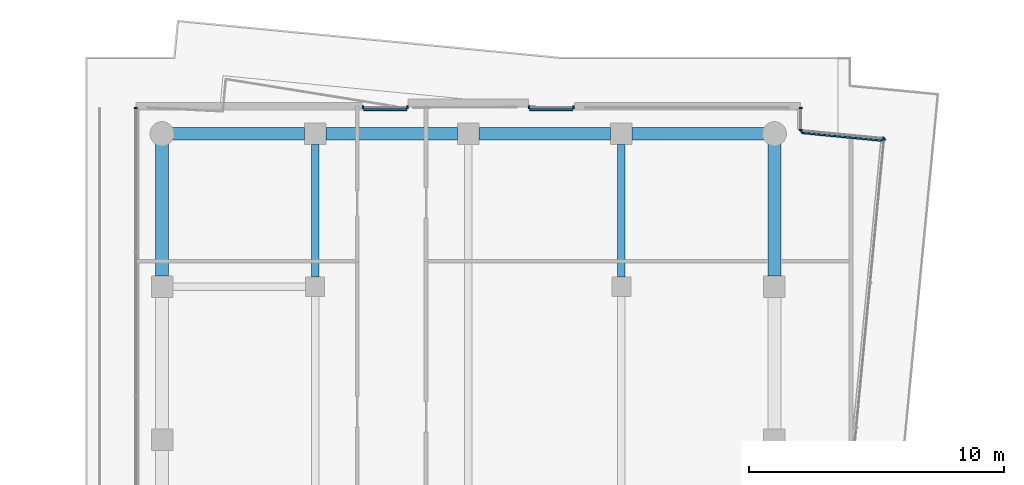
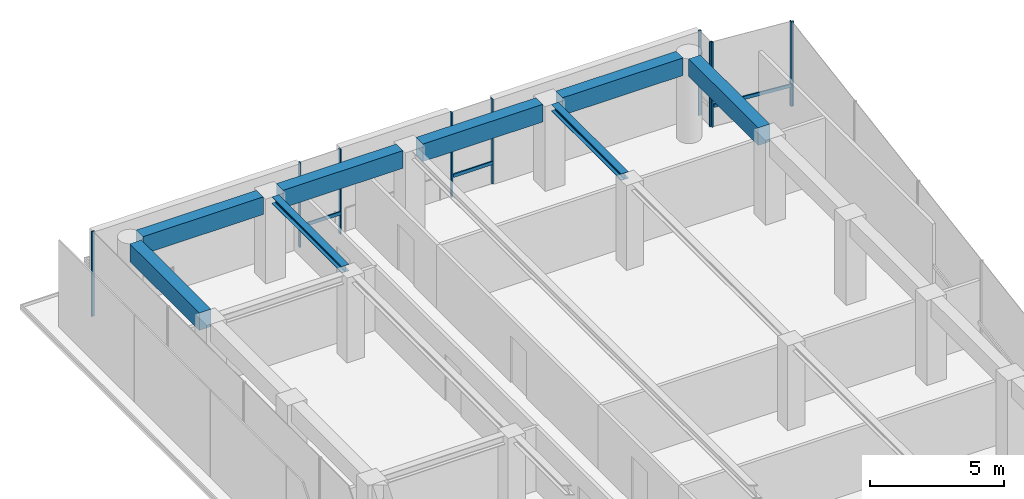
# One storey, part 16 of 25: 13 members, 8 beams, 6 elements without a shape of their own.
"""IFC4 building model written with IfcOpenShell, lengths in metres."""

from ifc_helpers import new_model, si_unit, direction, frame, origin, origin_2d, place, context, subcontext, project, spatial, rectangle, i_section, extrude, material, layer, layer_set, material_profile, profile_set, type_object, element, aggregate, save


model = new_model("IFC4")

# Units and contexts
model_context = context("Model", 3, precision=1e-05, world=origin(), true_north=direction((0.0, 1.0)))
body_context = subcontext(model_context, "Body", "Model", "MODEL_VIEW")
ifc_project = project(units=[si_unit("LENGTHUNIT", "METRE"), si_unit("AREAUNIT", "SQUARE_METRE"), si_unit("VOLUMEUNIT", "CUBIC_METRE"), si_unit("PLANEANGLEUNIT", "RADIAN"), si_unit("MASSUNIT", "GRAM", prefix="KILO")], contexts=[model_context])

# Site, building, storey
site_placement = place(None, origin())
site = spatial("IfcSite", under=ifc_project, at=site_placement, CompositionType="ELEMENT")
building_placement = place(site_placement, origin())
building = spatial("IfcBuilding", under=site, at=building_placement, Name="Welwitschia Terrace Campus", CompositionType="ELEMENT")
storey_placement = place(building_placement, frame((0.0, 0.0, 264.199951171875)))
storey = spatial("IfcBuildingStorey", under=building, at=storey_placement, Name="L58", CompositionType="ELEMENT", Elevation=264.199951171875)

# Beams
ifc_material_1 = material(Name="Steel S355", Category="steel")
ifc_material_profile_1 = material_profile(ifc_material_1, i_section(OverallWidth=0.300048828125, OverallDepth=0.300048828125, WebThickness=0.010986328125, FlangeThickness=0.01904296875, FilletRadius=0.027099609375, at=origin_2d()))
ifc_profile_set_1 = profile_set([ifc_material_profile_1], Name="Steel S355")
beam_type_1 = type_object("IfcBeamType", Name="Interior girder HE 300 B", PredefinedType="BEAM", material=ifc_profile_set_1)
for number, where, z_axis, x_axis, name in (
    (1, (6.0, 56.37548828125, 3.699951171875), (0.0, 1.0, 0.0), (-1.0, 0.0, 0.0), "Girder GB6"),
    (2, (18.0, 56.37548828125, 3.699951171875), (0.0, 1.0, 0.0), (-1.0, 0.0, 0.0), "Girder GB6"),
):
    element("IfcBeam", number, at=place(storey_placement, frame(where, z_axis=z_axis, x_axis=x_axis)), inside=storey, type_object=beam_type_1, Name=name, PredefinedType="BEAM", context=body_context, shape_type="SweptSolid", body=[
        extrude(i_section(OverallWidth=0.300048828125, OverallDepth=0.300048828125, WebThickness=0.010986328125, FlangeThickness=0.01904296875, FilletRadius=0.027099609375, at=origin_2d()), origin(), (0.0, 0.0, 1.0), 5.208984375),
    ])

# Curtain wall, member
ifc_material_2 = material(Name="Bronze anodised aluminium", Category="aluminium")
ifc_layer = layer(ifc_material_2, 0.1201171875)
ifc_layer_set = layer_set([ifc_layer], Name="Bronze anodised aluminium")
curtain_wall_type = type_object("IfcCurtainWallType", Name="Curtain wall CW2 tower 6000", PredefinedType="NOTDEFINED", material=ifc_layer_set)
curtain_wall_1_placement = place(storey_placement, origin())
curtain_wall_1 = element("IfcCurtainWall", 3, at=curtain_wall_1_placement, inside=storey, type_object=curtain_wall_type, Name="CW L58.0.0", PredefinedType="NOTDEFINED")
ifc_material_3 = material(Name="Bronze anodised aluminium", Category="aluminium")
ifc_material_profile_2 = material_profile(ifc_material_3, rectangle(XDim=0.1201171875, YDim=0.06005859375, at=origin_2d()))
ifc_profile_set_2 = profile_set([ifc_material_profile_2], Name="Bronze anodised aluminium")
member_type_1 = type_object("IfcMemberType", Name="Mullion 60x120", PredefinedType="MULLION", material=ifc_profile_set_2)
member_1_placement = place(storey_placement, frame((-1.030029296875, 63.0, 0.0), z_axis=(0.0, 0.0, 1.0), x_axis=(1.0, 0.0, 0.0)))
member_1 = element("IfcMember", 4, at=member_1_placement, type_object=member_type_1, Name="Mullion L58.0.0.0", PredefinedType="MULLION", context=body_context, shape_type="SweptSolid", body=[
    extrude(rectangle(XDim=0.1201171875, YDim=0.06005859375, at=origin_2d()), origin(), (0.0, 0.0, 1.0), 3.85009765625),
])
aggregate(curtain_wall_1, [member_1])

curtain_wall_2_placement = place(storey_placement, origin())
curtain_wall_2 = element("IfcCurtainWall", 5, at=curtain_wall_2_placement, inside=storey, type_object=curtain_wall_type, Name="CW L58.10.0", PredefinedType="NOTDEFINED")
member_2_placement = place(storey_placement, frame((28.29638671875, 61.781005859375, 0.0), z_axis=(0.0, 0.0, 1.0), x_axis=(-0.995396198367, 0.09584575252, 0.0)))
member_2 = element("IfcMember", 6, at=member_2_placement, type_object=member_type_1, Name="Mullion L58.10.0.6", PredefinedType="MULLION", context=body_context, shape_type="SweptSolid", body=[
    extrude(rectangle(XDim=0.1201171875, YDim=0.06005859375, at=origin_2d()), origin(), (0.0, 0.0, 1.0), 3.85009765625),
])
aggregate(curtain_wall_2, [member_2])

# Curtain wall, members
curtain_wall_3_placement = place(storey_placement, origin())
curtain_wall_3 = element("IfcCurtainWall", 7, at=curtain_wall_3_placement, inside=storey, type_object=curtain_wall_type, Name="CW L58.11.0", PredefinedType="NOTDEFINED")
member_3_placement = place(storey_placement, frame((28.26953125, 61.813720703125, 0.0), z_axis=(0.0, 0.0, 1.0), x_axis=(-0.09584575252, -0.995396198367, 0.0)))
member_3 = element("IfcMember", 8, at=member_3_placement, type_object=member_type_1, Name="Mullion L58.11.0.0", PredefinedType="MULLION", context=body_context, shape_type="SweptSolid", body=[
    extrude(rectangle(XDim=0.1201171875, YDim=0.06005859375, at=origin_2d()), origin(), (0.0, 0.0, 1.0), 3.85009765625),
])
member_4_placement = place(storey_placement, frame((25.059814453125, 62.12255859375, 0.0), z_axis=(0.0, 0.0, 1.0), x_axis=(-0.09584575252, -0.995396198367, 0.0)))
member_4 = element("IfcMember", 9, at=member_4_placement, type_object=member_type_1, Name="Mullion L58.11.0.1", PredefinedType="MULLION", context=body_context, shape_type="SweptSolid", body=[
    extrude(rectangle(XDim=0.1201171875, YDim=0.06005859375, at=origin_2d()), origin(), (0.0, 0.0, 1.0), 3.85009765625),
])

curtain_wall_4_placement = place(storey_placement, origin())
curtain_wall_4 = element("IfcCurtainWall", 10, at=curtain_wall_4_placement, inside=storey, type_object=curtain_wall_type, Name="CW L58.12.0", PredefinedType="NOTDEFINED")
member_5_placement = place(storey_placement, frame((25.030029296875, 62.155517578125, 0.0), z_axis=(0.0, 0.0, 1.0), x_axis=(-1.0, 0.0, 0.0)))
member_5 = element("IfcMember", 11, at=member_5_placement, type_object=member_type_1, Name="Mullion L58.12.0.0", PredefinedType="MULLION", context=body_context, shape_type="SweptSolid", body=[
    extrude(rectangle(XDim=0.1201171875, YDim=0.06005859375, at=origin_2d()), origin(), (0.0, 0.0, 1.0), 3.85009765625),
])
member_6_placement = place(storey_placement, frame((25.030029296875, 63.0, 0.0), z_axis=(0.0, 0.0, 1.0), x_axis=(-1.0, 0.0, 0.0)))
member_6 = element("IfcMember", 12, at=member_6_placement, type_object=member_type_1, Name="Mullion L58.12.0.1", PredefinedType="MULLION", context=body_context, shape_type="SweptSolid", body=[
    extrude(rectangle(XDim=0.1201171875, YDim=0.06005859375, at=origin_2d()), origin(), (0.0, 0.0, 1.0), 3.85009765625),
])
aggregate(curtain_wall_4, [member_5, member_6])

curtain_wall_5_placement = place(storey_placement, origin())
curtain_wall_5 = element("IfcCurtainWall", 13, at=curtain_wall_5_placement, inside=storey, type_object=curtain_wall_type, Name="CW L58.13.S0", PredefinedType="NOTDEFINED")
member_7_placement = place(storey_placement, frame((16.12744140625, 63.030029296875, 0.0), z_axis=(0.0, 0.0, 1.0), x_axis=(0.0, -1.0, 0.0)))
member_7 = element("IfcMember", 14, at=member_7_placement, type_object=member_type_1, Name="Mullion L58.13.S0.0", PredefinedType="MULLION", context=body_context, shape_type="SweptSolid", body=[
    extrude(rectangle(XDim=0.1201171875, YDim=0.06005859375, at=origin_2d()), origin(), (0.0, 0.0, 1.0), 3.85009765625),
])
member_8_placement = place(storey_placement, frame((14.387451171875, 63.030029296875, 0.0), z_axis=(0.0, 0.0, 1.0), x_axis=(0.0, -1.0, 0.0)))
member_8 = element("IfcMember", 15, at=member_8_placement, type_object=member_type_1, Name="Mullion L58.13.S0.1", PredefinedType="MULLION", context=body_context, shape_type="SweptSolid", body=[
    extrude(rectangle(XDim=0.1201171875, YDim=0.06005859375, at=origin_2d()), origin(), (0.0, 0.0, 1.0), 3.85009765625),
])

curtain_wall_6_placement = place(storey_placement, origin())
curtain_wall_6 = element("IfcCurtainWall", 16, at=curtain_wall_6_placement, inside=storey, type_object=curtain_wall_type, Name="CW L58.13.S1", PredefinedType="NOTDEFINED")
member_9_placement = place(storey_placement, frame((9.612548828125, 63.030029296875, 0.0), z_axis=(0.0, 0.0, 1.0), x_axis=(0.0, -1.0, 0.0)))
member_9 = element("IfcMember", 17, at=member_9_placement, type_object=member_type_1, Name="Mullion L58.13.S1.0", PredefinedType="MULLION", context=body_context, shape_type="SweptSolid", body=[
    extrude(rectangle(XDim=0.1201171875, YDim=0.06005859375, at=origin_2d()), origin(), (0.0, 0.0, 1.0), 3.85009765625),
])
member_10_placement = place(storey_placement, frame((7.87255859375, 63.030029296875, 0.0), z_axis=(0.0, 0.0, 1.0), x_axis=(0.0, -1.0, 0.0)))
member_10 = element("IfcMember", 18, at=member_10_placement, type_object=member_type_1, Name="Mullion L58.13.S1.1", PredefinedType="MULLION", context=body_context, shape_type="SweptSolid", body=[
    extrude(rectangle(XDim=0.1201171875, YDim=0.06005859375, at=origin_2d()), origin(), (0.0, 0.0, 1.0), 3.85009765625),
])

# Beams
ifc_material_4 = material(Name="Concrete C50/60", Category="concrete")
ifc_material_profile_3 = material_profile(ifc_material_4, rectangle(XDim=0.5, YDim=0.800048828125, at=origin_2d()))
ifc_profile_set_3 = profile_set([ifc_material_profile_3], Name="Concrete C50/60")
beam_type_2 = type_object("IfcBeamType", Name="Ring spandrel 500x800", PredefinedType="SPANDREL", material=ifc_profile_set_3)
for number, where, z_axis, x_axis, name in (
    (19, (24.0, 56.425537109375, 3.449951171875), (0.0, 1.0, 0.0), (-1.0, 0.0, 0.0), "Spandrel SP4"),
    (20, (23.595458984375, 62.0, 3.449951171875), (-1.0, 0.0, 0.0), (0.0, -1.0, 0.0), "Spandrel SP4"),
):
    element("IfcBeam", number, at=place(storey_placement, frame(where, z_axis=z_axis, x_axis=x_axis)), inside=storey, type_object=beam_type_2, Name=name, PredefinedType="SPANDREL", context=body_context, shape_type="SweptSolid", body=[
        extrude(rectangle(XDim=0.5, YDim=0.800048828125, at=origin_2d()), origin(), (0.0, 0.0, 1.0), 5.169921875),
    ])
for number, where, z_axis, x_axis, name in (
    (21, (17.574462890625, 62.0, 3.449951171875), (-1.0, 0.0, 0.0), (0.0, -1.0, 0.0), "Spandrel SP4"),
    (22, (11.574462890625, 62.0, 3.449951171875), (-1.0, 0.0, 0.0), (0.0, -1.0, 0.0), "Spandrel SP4"),
):
    element("IfcBeam", number, at=place(storey_placement, frame(where, z_axis=z_axis, x_axis=x_axis)), inside=storey, type_object=beam_type_2, Name=name, PredefinedType="SPANDREL", context=body_context, shape_type="SweptSolid", body=[
        extrude(rectangle(XDim=0.5, YDim=0.800048828125, at=origin_2d()), origin(), (0.0, 0.0, 1.0), 5.14892578125),
    ])
for number, where, z_axis, x_axis, name in (
    (23, (5.574462890625, 62.0, 3.449951171875), (-1.0, 0.0, 0.0), (0.0, -1.0, 0.0), "Spandrel SP4"),
    (24, (0.0, 61.595458984375, 3.449951171875), (0.0, -1.0, 0.0), (1.0, 0.0, 0.0), "Spandrel SP4"),
):
    element("IfcBeam", number, at=place(storey_placement, frame(where, z_axis=z_axis, x_axis=x_axis)), inside=storey, type_object=beam_type_2, Name=name, PredefinedType="SPANDREL", context=body_context, shape_type="SweptSolid", body=[
        extrude(rectangle(XDim=0.5, YDim=0.800048828125, at=origin_2d()), origin(), (0.0, 0.0, 1.0), 5.169921875),
    ])

# Member
ifc_material_5 = material(Name="Bronze anodised aluminium", Category="aluminium")
ifc_material_profile_4 = material_profile(ifc_material_5, rectangle(XDim=0.06005859375, YDim=0.14990234375, at=origin_2d()))
ifc_profile_set_4 = profile_set([ifc_material_profile_4], Name="Bronze anodised aluminium")
member_type_2 = type_object("IfcMemberType", Name="Transom 60x150", PredefinedType="USERDEFINED", material=ifc_profile_set_4)
member_11_placement = place(storey_placement, frame((28.23095703125, 61.726806640625, 1.0), z_axis=(-0.995391201462, 0.09589763319, 0.0), x_axis=(-0.09589763319, -0.995391201462, 0.0)))
member_11 = element("IfcMember", 25, at=member_11_placement, type_object=member_type_2, Name="Transom L58.11.0", ObjectType="TRANSOM", PredefinedType="USERDEFINED", context=body_context, shape_type="SweptSolid", body=[
    extrude(rectangle(XDim=0.06005859375, YDim=0.14990234375, at=origin_2d()), origin(), (0.0, 0.0, 1.0), 3.16455078125),
])

aggregate(curtain_wall_3, [member_3, member_4, member_11])

member_12_placement = place(storey_placement, frame((16.097412109375, 62.93994140625, 1.0), z_axis=(-1.0, 0.0, 0.0), x_axis=(0.0, -1.0, 0.0)))
member_12 = element("IfcMember", 26, at=member_12_placement, type_object=member_type_2, Name="Transom L58.13.S0", ObjectType="TRANSOM", PredefinedType="USERDEFINED", context=body_context, shape_type="SweptSolid", body=[
    extrude(rectangle(XDim=0.06005859375, YDim=0.14990234375, at=origin_2d()), origin(), (0.0, 0.0, 1.0), 1.679931640625),
])

aggregate(curtain_wall_5, [member_7, member_8, member_12])

member_13_placement = place(storey_placement, frame((9.58251953125, 62.93994140625, 1.0), z_axis=(-1.0, 0.0, 0.0), x_axis=(0.0, -1.0, 0.0)))
member_13 = element("IfcMember", 27, at=member_13_placement, type_object=member_type_2, Name="Transom L58.13.S1", ObjectType="TRANSOM", PredefinedType="USERDEFINED", context=body_context, shape_type="SweptSolid", body=[
    extrude(rectangle(XDim=0.06005859375, YDim=0.14990234375, at=origin_2d()), origin(), (0.0, 0.0, 1.0), 1.679931640625),
])

aggregate(curtain_wall_6, [member_9, member_10, member_13])

save(model, "model.ifc")
